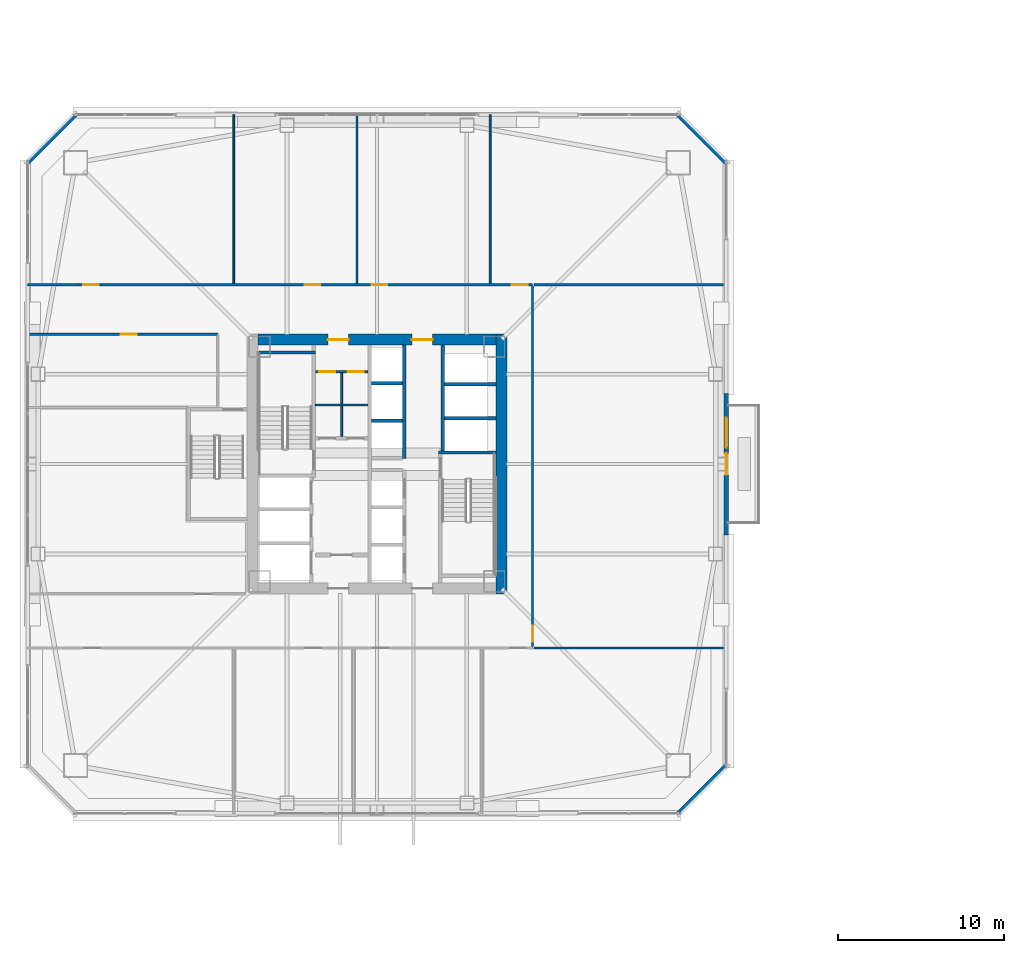
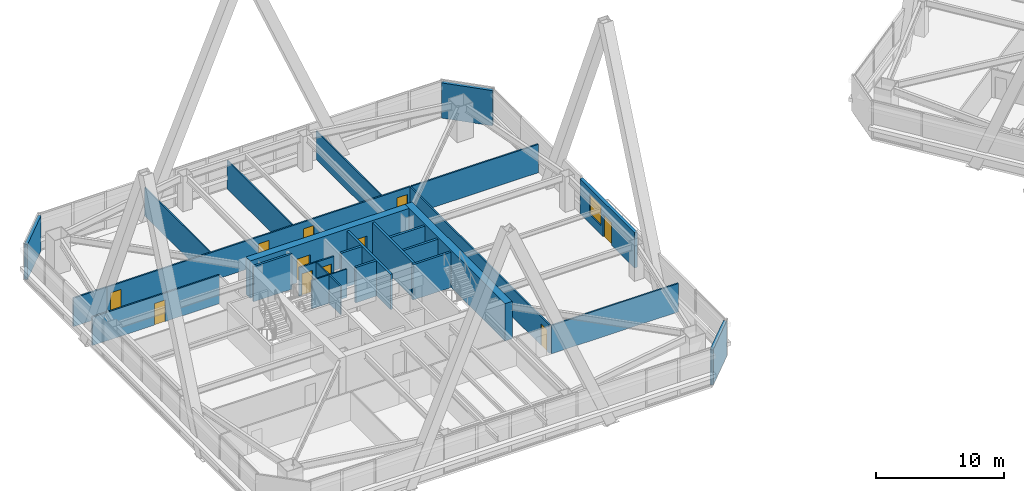
# One storey, part 44 of 54: 26 walls, 11 doors, 1 window, 12 openings.
"""IFC4 building model written with IfcOpenShell, lengths in metres."""

from ifc_helpers import new_model, si_unit, direction, frame, frame_2d, origin, place, context, subcontext, project, spatial, rectangle, extrude, material, layer, layer_set, type_object, element, fill, save


model = new_model("IFC4")

# Units and contexts
model_context = context("Model", 3, precision=1e-05, world=origin(), true_north=direction((0.0, 1.0)))
body_context = subcontext(model_context, "Body", "Model", "MODEL_VIEW")
ifc_project = project(units=[si_unit("LENGTHUNIT", "METRE"), si_unit("AREAUNIT", "SQUARE_METRE"), si_unit("VOLUMEUNIT", "CUBIC_METRE"), si_unit("PLANEANGLEUNIT", "RADIAN"), si_unit("MASSUNIT", "GRAM", prefix="KILO")], contexts=[model_context])

# Site, building, storey
site_placement = place(None, origin())
site = spatial("IfcSite", under=ifc_project, at=site_placement, CompositionType="ELEMENT")
building_placement = place(site_placement, origin())
building = spatial("IfcBuilding", under=site, at=building_placement, Name="Tashvorn Skyway Center", CompositionType="ELEMENT")
storey_placement = place(building_placement, frame((0.0, 0.0, 88.5)))
storey = spatial("IfcBuildingStorey", under=building, at=storey_placement, Name="L23", CompositionType="ELEMENT", Elevation=88.5)

# Wall
ifc_material_1 = material(Name="Concrete C60/75", Category="concrete")
ifc_layer_1 = layer(ifc_material_1, 0.64990234375)
ifc_layer_set_1 = layer_set([ifc_layer_1], Name="Concrete C60/75")
wall_type_1 = type_object("IfcWallType", Name="WALL-CORE-650", PredefinedType="SHEAR", material=ifc_layer_set_1)
wall_1_placement = place(storey_placement, frame((49.47509765625, 39.800048828125, 0.0), z_axis=(0.0, 0.0, 1.0), x_axis=(0.0, -1.0, 0.0)))
element("IfcWall", 1, at=wall_1_placement, inside=storey, type_object=wall_type_1, Name="Tower 1 L23 East Core Shear Wall", PredefinedType="SHEAR", context=body_context, shape_type="SweptSolid", body=[
    extrude(rectangle(XDim=15.60009765625, YDim=0.64990234375, at=frame_2d((7.800048828125, 0.0))), origin(), (0.0, 0.0, 1.0), 3.550048828125),
])

# Wall, openings, doors
wall_2_placement = place(storey_placement, frame((34.85009765625, 39.47509765625, 0.0), z_axis=(0.0, 0.0, 1.0), x_axis=(1.0, 0.0, 0.0)))
wall_2 = element("IfcWall", 2, at=wall_2_placement, inside=storey, type_object=wall_type_1, Name="Tower 1 L23 North Core Shear Wall", PredefinedType="SHEAR", context=body_context, shape_type="SweptSolid", body=[
    extrude(rectangle(XDim=14.2998046875, YDim=0.64990234375, at=frame_2d((7.14990234375, 0.0))), origin(), (0.0, 0.0, 1.0), 3.550048828125),
])
opening_1_placement = place(wall_2_placement, frame((4.199951171875, 0.0, 0.0)))
opening_1 = element("IfcOpeningElement", 3, at=opening_1_placement, cuts=wall_2, Name="Opening D-FFL-1250", PredefinedType="OPENING", context=body_context, shape_type="SweptSolid", body=[
    extrude(rectangle(XDim=1.25, YDim=2.25, at=frame_2d((0.625, 1.125))), frame((0.0, 0.3349609375, 0.0), z_axis=(0.0, -1.0, 0.0), x_axis=(1.0, 0.0, 0.0)), (0.0, 0.0, 1.0), 0.669921875),
])
opening_2_placement = place(wall_2_placement, frame((9.25, 0.0, 0.0)))
opening_2 = element("IfcOpeningElement", 4, at=opening_2_placement, cuts=wall_2, Name="Opening D-FFL-1250", PredefinedType="OPENING", context=body_context, shape_type="SweptSolid", body=[
    extrude(rectangle(XDim=1.25, YDim=2.25, at=frame_2d((0.625, 1.125))), frame((0.0, 0.3349609375, 0.0), z_axis=(0.0, -1.0, 0.0), x_axis=(1.0, 0.0, 0.0)), (0.0, 0.0, 1.0), 0.669921875),
])
ifc_material_2 = material(Name="Hollow galvanized steel fire door assembly", Category="steel")
door_type_1 = type_object("IfcDoorType", Name="DOOR-FFL-1250", OperationType="NOTDEFINED", PredefinedType="DOOR", material=ifc_material_2)
door_1_placement = place(opening_1_placement, origin())
door_1 = element("IfcDoor", 5, at=door_1_placement, inside=storey, type_object=door_type_1, Name="Tower 1 L23 Core North Service Lobby Door", OperationType="SINGLE_SWING_LEFT", OverallHeight=2.25, OverallWidth=1.25, PredefinedType="DOOR", context=body_context, shape_type="SweptSolid", body=[
    extrude(rectangle(XDim=1.25, YDim=2.25, at=frame_2d((0.625, 1.125))), frame((0.0, 0.02490234375, 0.0), z_axis=(0.0, -1.0, 0.0), x_axis=(1.0, 0.0, 0.0)), (0.0, 0.0, 1.0), 0.050048828125),
])
fill(opening_1, door_1)
door_2_placement = place(opening_2_placement, origin())
door_2 = element("IfcDoor", 6, at=door_2_placement, inside=storey, type_object=door_type_1, Name="Tower 1 L23 Core North Lift Lobby Door", OperationType="SINGLE_SWING_RIGHT", OverallHeight=2.25, OverallWidth=1.25, PredefinedType="DOOR", context=body_context, shape_type="SweptSolid", body=[
    extrude(rectangle(XDim=1.25, YDim=2.25, at=frame_2d((0.625, 1.125))), frame((0.0, 0.02490234375, 0.0), z_axis=(0.0, -1.0, 0.0), x_axis=(1.0, 0.0, 0.0)), (0.0, 0.0, 1.0), 0.050048828125),
])
fill(opening_2, door_2)

# Wall, openings, door, window
ifc_material_3 = material(Name="Precast concrete C40/50", Category="concrete")
ifc_layer_2 = layer(ifc_material_3, 0.280029296875)
ifc_layer_set_2 = layer_set([ifc_layer_2], Name="Precast concrete C40/50")
wall_type_2 = type_object("IfcWallType", Name="WALL-EXT-280", PredefinedType="SOLIDWALL", material=ifc_layer_set_2)
wall_3_placement = place(storey_placement, frame((62.97998046875, 36.25, 0.0), z_axis=(0.0, 0.0, 1.0), x_axis=(0.0, -1.0, 0.0)))
wall_3 = element("IfcWall", 7, at=wall_3_placement, inside=storey, type_object=wall_type_2, Name="Tower 1 L23 East Terrace Portal Wall", PredefinedType="SOLIDWALL", context=body_context, shape_type="SweptSolid", body=[
    extrude(rectangle(XDim=8.5, YDim=0.280029296875, at=frame_2d((4.25, 0.0))), origin(), (0.0, 0.0, 1.0), 3.35009765625),
])
opening_3_placement = place(wall_3_placement, frame((3.60009765625, 0.0, 0.0)))
opening_3 = element("IfcOpeningElement", 8, at=opening_3_placement, cuts=wall_3, Name="Opening D-TER-1300", PredefinedType="OPENING", context=body_context, shape_type="SweptSolid", body=[
    extrude(rectangle(XDim=1.300048828125, YDim=2.14990234375, at=frame_2d((0.64990234375, 1.074951171875))), frame((0.0, 0.14990234375, 0.0), z_axis=(0.0, -1.0, 0.0), x_axis=(1.0, 0.0, 0.0)), (0.0, 0.0, 1.0), 0.300048828125),
])
opening_4_placement = place(wall_3_placement, frame((1.4599609375, 0.0, 0.85009765625)))
opening_4 = element("IfcOpeningElement", 9, at=opening_4_placement, cuts=wall_3, Name="Opening WIN-1800", PredefinedType="OPENING", context=body_context, shape_type="SweptSolid", body=[
    extrude(rectangle(XDim=1.800048828125, YDim=1.919921875, at=frame_2d((0.89990234375, 0.9599609375))), frame((0.0, 0.14990234375, 0.0), z_axis=(0.0, -1.0, 0.0), x_axis=(1.0, 0.0, 0.0)), (0.0, 0.0, 1.0), 0.300048828125),
])
ifc_material_4 = material(Name="Thermally broken bronze-anodized aluminium 6063-T6", Category="aluminium")
door_type_2 = type_object("IfcDoorType", Name="DOOR-TERR-1300", OperationType="NOTDEFINED", PredefinedType="DOOR", material=ifc_material_4)
door_3_placement = place(opening_3_placement, origin())
door_3 = element("IfcDoor", 10, at=door_3_placement, inside=storey, type_object=door_type_2, Name="Tower 1 L23 Terrace Access Door", OperationType="SINGLE_SWING_LEFT", OverallHeight=2.14990234375, OverallWidth=1.300048828125, PredefinedType="DOOR", context=body_context, shape_type="SweptSolid", body=[
    extrude(rectangle(XDim=1.300048828125, YDim=2.14990234375, at=frame_2d((0.64990234375, 1.074951171875))), frame((0.0, 0.02490234375, 0.0), z_axis=(0.0, -1.0, 0.0), x_axis=(1.0, 0.0, 0.0)), (0.0, 0.0, 1.0), 0.050048828125),
])
fill(opening_3, door_3)
ifc_material_5 = material(Name="Low-E solar-control double insulating safety glass", Category="glass")
window_type = type_object("IfcWindowType", Name="WIN-TERR-1800", PartitioningType="SINGLE_PANEL", PredefinedType="WINDOW", material=ifc_material_5)
window_placement = place(opening_4_placement, origin())
window = element("IfcWindow", 11, at=window_placement, inside=storey, type_object=window_type, Name="Tower 1 L23 Terrace Window", OverallHeight=1.919921875, OverallWidth=1.800048828125, PartitioningType="SINGLE_PANEL", PredefinedType="WINDOW", context=body_context, shape_type="SweptSolid", body=[
    extrude(rectangle(XDim=1.800048828125, YDim=1.919921875, at=frame_2d((0.89990234375, 0.9599609375))), frame((0.0, 0.030029296875, 0.0), z_axis=(0.0, -1.0, 0.0), x_axis=(1.0, 0.0, 0.0)), (0.0, 0.0, 1.0), 0.06005859375),
])
fill(opening_4, window)

# Walls
for number, where, z_axis, x_axis, name in (
    (12, (21.0, 50.10009765625, 0.0), (0.0, 0.0, 1.0), (0.707106781187, 0.707106781187, 0.0), "Tower 1 L23 NW Precast Chamfer Wall"),
    (13, (60.10009765625, 53.0, 0.0), (0.0, 0.0, 1.0), (0.707106781187, -0.707106781187, 0.0), "Tower 1 L23 NE Precast Chamfer Wall"),
    (14, (63.0, 13.89990234375, 0.0), (0.0, 0.0, 1.0), (-0.707106781187, -0.707106781187, 0.0), "Tower 1 L23 SE Precast Chamfer Wall"),
):
    element("IfcWall", number, at=place(storey_placement, frame(where, z_axis=z_axis, x_axis=x_axis)), inside=storey, type_object=wall_type_2, Name=name, PredefinedType="SOLIDWALL", context=body_context, shape_type="SweptSolid", body=[
        extrude(rectangle(XDim=4.10107421875, YDim=0.280029296875, at=frame_2d((2.050537109375, 0.0))), origin(), (0.0, 0.0, 1.0), 3.35009765625),
    ])
ifc_material_6 = material(Name="Gypsum board on cold-formed steel stud framing", Category="steel")
ifc_layer_3 = layer(ifc_material_6, 0.110107421875)
ifc_layer_set_3 = layer_set([ifc_layer_3], Name="Gypsum board on cold-formed steel stud framing")
wall_type_3 = type_object("IfcWallType", Name="WALL-PART-110", PredefinedType="PARTITIONING", material=ifc_layer_set_3)
for number, where, z_axis, x_axis, name in (
    (15, (33.39990234375, 42.85009765625, 0.0), (0.0, 0.0, 1.0), (0.0, 1.0, 0.0), "Tower 1 L23 North Suite Partition 1"),
    (16, (40.800048828125, 42.85009765625, 0.0), (0.0, 0.0, 1.0), (0.0, 1.0, 0.0), "Tower 1 L23 North Suite Partition 2"),
    (17, (48.800048828125, 42.85009765625, 0.0), (0.0, 0.0, 1.0), (0.0, 1.0, 0.0), "Tower 1 L23 North Suite Partition 3"),
):
    element("IfcWall", number, at=place(storey_placement, frame(where, z_axis=z_axis, x_axis=x_axis)), inside=storey, type_object=wall_type_3, Name=name, PredefinedType="PARTITIONING", context=body_context, shape_type="SweptSolid", body=[
        extrude(rectangle(XDim=10.1298828125, YDim=0.110107421875, at=frame_2d((5.06494140625, 0.0))), origin(), (0.0, 0.0, 1.0), 2.702880859375),
    ])

# Wall, openings, doors
ifc_layer_4 = layer(ifc_material_6, 0.135009765625)
ifc_layer_set_4 = layer_set([ifc_layer_4], Name="Gypsum board on cold-formed steel stud framing")
wall_type_4 = type_object("IfcWallType", Name="WALL-PART-135", PredefinedType="PARTITIONING", material=ifc_layer_set_4)
wall_4_placement = place(storey_placement, frame((24.050048828125, 42.77001953125, 0.0), z_axis=(0.0, 0.0, 1.0), x_axis=(1.0, 0.0, 0.0)))
wall_4 = element("IfcWall", 18, at=wall_4_placement, inside=storey, type_object=wall_type_4, Name="Tower 1 L23 North Suite Wall", PredefinedType="PARTITIONING", context=body_context, shape_type="SweptSolid", body=[
    extrude(rectangle(XDim=27.300048828125, YDim=0.135009765625, at=frame_2d((13.64990234375, 0.0))), origin(), (0.0, 0.0, 1.0), 2.702880859375),
])
opening_5_placement = place(wall_4_placement, frame((0.300048828125, 0.0, 0.0)))
opening_5 = element("IfcOpeningElement", 19, at=opening_5_placement, cuts=wall_4, Name="Opening D-INT-950", PredefinedType="OPENING", context=body_context, shape_type="SweptSolid", body=[
    extrude(rectangle(XDim=0.949951171875, YDim=2.050048828125, at=frame_2d((0.47509765625, 1.02490234375))), frame((0.0, 0.077392578125, 0.0), z_axis=(0.0, -1.0, 0.0), x_axis=(1.0, 0.0, 0.0)), (0.0, 0.0, 1.0), 0.155029296875),
])
opening_6_placement = place(wall_4_placement, frame((13.609619140625, 0.0, 0.0)))
opening_6 = element("IfcOpeningElement", 20, at=opening_6_placement, cuts=wall_4, Name="Opening D-INT-950", PredefinedType="OPENING", context=body_context, shape_type="SweptSolid", body=[
    extrude(rectangle(XDim=0.949951171875, YDim=2.050048828125, at=frame_2d((0.47509765625, 1.02490234375))), frame((0.0, 0.077392578125, 0.0), z_axis=(0.0, -1.0, 0.0), x_axis=(1.0, 0.0, 0.0)), (0.0, 0.0, 1.0), 0.155029296875),
])
opening_7_placement = place(wall_4_placement, frame((17.63330078125, 0.0, 0.0)))
opening_7 = element("IfcOpeningElement", 21, at=opening_7_placement, cuts=wall_4, Name="Opening D-INT-950", PredefinedType="OPENING", context=body_context, shape_type="SweptSolid", body=[
    extrude(rectangle(XDim=0.949951171875, YDim=2.050048828125, at=frame_2d((0.47509765625, 1.02490234375))), frame((0.0, 0.077392578125, 0.0), z_axis=(0.0, -1.0, 0.0), x_axis=(1.0, 0.0, 0.0)), (0.0, 0.0, 1.0), 0.155029296875),
])
opening_8_placement = place(wall_4_placement, frame((26.050048828125, 0.0, 0.0)))
opening_8 = element("IfcOpeningElement", 22, at=opening_8_placement, cuts=wall_4, Name="Opening D-INT-950", PredefinedType="OPENING", context=body_context, shape_type="SweptSolid", body=[
    extrude(rectangle(XDim=0.949951171875, YDim=2.050048828125, at=frame_2d((0.47509765625, 1.02490234375))), frame((0.0, 0.077392578125, 0.0), z_axis=(0.0, -1.0, 0.0), x_axis=(1.0, 0.0, 0.0)), (0.0, 0.0, 1.0), 0.155029296875),
])
ifc_material_7 = material(Name="Solid-core architectural oak veneer door")
door_type_3 = type_object("IfcDoorType", Name="DOOR-INT-950", OperationType="NOTDEFINED", PredefinedType="DOOR", material=ifc_material_7)
door_4_placement = place(opening_5_placement, origin())
door_4 = element("IfcDoor", 23, at=door_4_placement, inside=storey, type_object=door_type_3, Name="Tower 1 L23 Conference Room Door", OperationType="SINGLE_SWING_RIGHT", OverallHeight=2.050048828125, OverallWidth=0.949951171875, PredefinedType="DOOR", context=body_context, shape_type="SweptSolid", body=[
    extrude(rectangle(XDim=0.949951171875, YDim=2.050048828125, at=frame_2d((0.47509765625, 1.02490234375))), frame((0.0, 0.02490234375, 0.0), z_axis=(0.0, -1.0, 0.0), x_axis=(1.0, 0.0, 0.0)), (0.0, 0.0, 1.0), 0.050048828125),
])
fill(opening_5, door_4)
door_5_placement = place(opening_6_placement, origin())
door_5 = element("IfcDoor", 24, at=door_5_placement, inside=storey, type_object=door_type_3, Name="Tower 1 L23 Conference Room Door", OperationType="SINGLE_SWING_LEFT", OverallHeight=2.050048828125, OverallWidth=0.949951171875, PredefinedType="DOOR", context=body_context, shape_type="SweptSolid", body=[
    extrude(rectangle(XDim=0.949951171875, YDim=2.050048828125, at=frame_2d((0.47509765625, 1.02490234375))), frame((0.0, 0.02490234375, 0.0), z_axis=(0.0, -1.0, 0.0), x_axis=(1.0, 0.0, 0.0)), (0.0, 0.0, 1.0), 0.050048828125),
])
fill(opening_6, door_5)
door_6_placement = place(opening_7_placement, origin())
door_6 = element("IfcDoor", 25, at=door_6_placement, inside=storey, type_object=door_type_3, Name="Tower 1 L23 Staff Fitness Club Door", OperationType="SINGLE_SWING_RIGHT", OverallHeight=2.050048828125, OverallWidth=0.949951171875, PredefinedType="DOOR", context=body_context, shape_type="SweptSolid", body=[
    extrude(rectangle(XDim=0.949951171875, YDim=2.050048828125, at=frame_2d((0.47509765625, 1.02490234375))), frame((0.0, 0.02490234375, 0.0), z_axis=(0.0, -1.0, 0.0), x_axis=(1.0, 0.0, 0.0)), (0.0, 0.0, 1.0), 0.050048828125),
])
fill(opening_7, door_6)
door_7_placement = place(opening_8_placement, origin())
door_7 = element("IfcDoor", 26, at=door_7_placement, inside=storey, type_object=door_type_3, Name="Tower 1 L23 Gallery Showroom Door", OperationType="SINGLE_SWING_LEFT", OverallHeight=2.050048828125, OverallWidth=0.949951171875, PredefinedType="DOOR", context=body_context, shape_type="SweptSolid", body=[
    extrude(rectangle(XDim=0.949951171875, YDim=2.050048828125, at=frame_2d((0.47509765625, 1.02490234375))), frame((0.0, 0.02490234375, 0.0), z_axis=(0.0, -1.0, 0.0), x_axis=(1.0, 0.0, 0.0)), (0.0, 0.0, 1.0), 0.050048828125),
])
fill(opening_8, door_7)

# Wall
wall_5_placement = place(storey_placement, frame((21.02001953125, 42.77001953125, 0.0), z_axis=(0.0, 0.0, 1.0), x_axis=(1.0, 0.0, 0.0)))
element("IfcWall", 27, at=wall_5_placement, inside=storey, type_object=wall_type_4, Name="Tower 1 L23 North-West Suite South Wall", PredefinedType="PARTITIONING", context=body_context, shape_type="SweptSolid", body=[
    extrude(rectangle(XDim=3.030029296875, YDim=0.135009765625, at=frame_2d((1.51513671875, 0.0))), origin(), (0.0, 0.0, 1.0), 2.702880859375),
])

# Wall, opening, door
wall_6_placement = place(storey_placement, frame((51.35009765625, 42.68994140625, 0.0), z_axis=(0.0, 0.0, 1.0), x_axis=(0.0, -1.0, 0.0)))
wall_6 = element("IfcWall", 28, at=wall_6_placement, inside=storey, type_object=wall_type_4, Name="Tower 1 L23 East Inner Suite Wall", PredefinedType="PARTITIONING", context=body_context, shape_type="SweptSolid", body=[
    extrude(rectangle(XDim=21.659912109375, YDim=0.135009765625, at=frame_2d((10.830078125, 0.0))), origin(), (0.0, 0.0, 1.0), 2.702880859375),
])
opening_9_placement = place(wall_6_placement, frame((20.409912109375, 0.0, 0.0)))
opening_9 = element("IfcOpeningElement", 29, at=opening_9_placement, cuts=wall_6, Name="Opening D-INT-950", PredefinedType="OPENING", context=body_context, shape_type="SweptSolid", body=[
    extrude(rectangle(XDim=0.949951171875, YDim=2.050048828125, at=frame_2d((0.47509765625, 1.02490234375))), frame((0.0, 0.077392578125, 0.0), z_axis=(0.0, -1.0, 0.0), x_axis=(1.0, 0.0, 0.0)), (0.0, 0.0, 1.0), 0.155029296875),
])
door_8_placement = place(opening_9_placement, origin())
door_8 = element("IfcDoor", 30, at=door_8_placement, inside=storey, type_object=door_type_3, Name="Tower 1 L23 Gallery Showroom Door", OperationType="SINGLE_SWING_RIGHT", OverallHeight=2.050048828125, OverallWidth=0.949951171875, PredefinedType="DOOR", context=body_context, shape_type="SweptSolid", body=[
    extrude(rectangle(XDim=0.949951171875, YDim=2.050048828125, at=frame_2d((0.47509765625, 1.02490234375))), frame((0.0, 0.02490234375, 0.0), z_axis=(0.0, -1.0, 0.0), x_axis=(1.0, 0.0, 0.0)), (0.0, 0.0, 1.0), 0.050048828125),
])
fill(opening_9, door_8)

# Walls
for number, where, z_axis, x_axis, name in (
    (31, (62.830078125, 42.77001953125, 0.0), (0.0, 0.0, 1.0), (-1.0, 0.0, 0.0), "Tower 1 L23 East Suite North Wall"),
    (32, (51.429931640625, 20.949951171875, 0.0), (0.0, 0.0, 1.0), (1.0, 0.0, 0.0), "Tower 1 L23 East Suite South Wall"),
):
    element("IfcWall", number, at=place(storey_placement, frame(where, z_axis=z_axis, x_axis=x_axis)), inside=storey, type_object=wall_type_4, Name=name, PredefinedType="PARTITIONING", context=body_context, shape_type="SweptSolid", body=[
        extrude(rectangle(XDim=11.400146484375, YDim=0.135009765625, at=frame_2d((5.7001953125, 0.0))), origin(), (0.0, 0.0, 1.0), 2.702880859375),
    ])

# Wall, opening, door
wall_7_placement = place(storey_placement, frame((32.449951171875, 39.800048828125, 0.0), z_axis=(0.0, 0.0, 1.0), x_axis=(-1.0, 0.0, 0.0)))
wall_7 = element("IfcWall", 33, at=wall_7_placement, inside=storey, type_object=wall_type_4, Name="Tower 1 L23 West Suite North Wall", PredefinedType="PARTITIONING", context=body_context, shape_type="SweptSolid", body=[
    extrude(rectangle(XDim=11.429931640625, YDim=0.135009765625, at=frame_2d((5.71484375, 0.0))), origin(), (0.0, 0.0, 1.0), 2.702880859375),
])
opening_10_placement = place(wall_7_placement, frame((4.889892578125, 0.0, 0.0)))
opening_10 = element("IfcOpeningElement", 34, at=opening_10_placement, cuts=wall_7, Name="Opening D-INT-950", PredefinedType="OPENING", context=body_context, shape_type="SweptSolid", body=[
    extrude(rectangle(XDim=0.949951171875, YDim=2.050048828125, at=frame_2d((0.47509765625, 1.02490234375))), frame((0.0, 0.077392578125, 0.0), z_axis=(0.0, -1.0, 0.0), x_axis=(1.0, 0.0, 0.0)), (0.0, 0.0, 1.0), 0.155029296875),
])
door_9_placement = place(opening_10_placement, origin())
door_9 = element("IfcDoor", 35, at=door_9_placement, inside=storey, type_object=door_type_3, Name="Tower 1 L23 Catering Pantry Door", OperationType="SINGLE_SWING_LEFT", OverallHeight=2.050048828125, OverallWidth=0.949951171875, PredefinedType="DOOR", context=body_context, shape_type="SweptSolid", body=[
    extrude(rectangle(XDim=0.949951171875, YDim=2.050048828125, at=frame_2d((0.47509765625, 1.02490234375))), frame((0.0, 0.02490234375, 0.0), z_axis=(0.0, -1.0, 0.0), x_axis=(1.0, 0.0, 0.0)), (0.0, 0.0, 1.0), 0.050048828125),
])
fill(opening_10, door_9)

# Walls
ifc_layer_5 = layer(ifc_material_6, 0.110107421875)
ifc_layer_set_5 = layer_set([ifc_layer_5], Name="Gypsum board on cold-formed steel stud framing")
wall_type_5 = type_object("IfcWallType", Name="WALL-RATED-110", PredefinedType="PARTITIONING", material=ifc_layer_set_5)
wall_8_placement = place(storey_placement, frame((39.8798828125, 33.679931640625, 0.0), z_axis=(0.0, 0.0, 1.0), x_axis=(0.0, 1.0, 0.0)))
element("IfcWall", 36, at=wall_8_placement, inside=storey, type_object=wall_type_5, Name="Tower 1 L23 Core Cross Vertical", PredefinedType="PARTITIONING", context=body_context, shape_type="SweptSolid", body=[
    extrude(rectangle(XDim=3.800048828125, YDim=0.110107421875, at=frame_2d((1.89990234375, 0.0))), origin(), (0.0, 0.0, 1.0), 2.702880859375),
])
wall_9_placement = place(storey_placement, frame((38.300048828125, 35.550048828125, 0.0), z_axis=(0.0, 0.0, 1.0), x_axis=(1.0, 0.0, 0.0)))
element("IfcWall", 37, at=wall_9_placement, inside=storey, type_object=wall_type_5, Name="Tower 1 L23 Core Cross Horizontal", PredefinedType="PARTITIONING", context=body_context, shape_type="SweptSolid", body=[
    extrude(rectangle(XDim=3.14990234375, YDim=0.110107421875, at=frame_2d((1.574951171875, 0.0))), origin(), (0.0, 0.0, 1.0), 2.702880859375),
])

# Wall, openings, doors
ifc_layer_6 = layer(ifc_material_6, 0.135009765625)
ifc_layer_set_6 = layer_set([ifc_layer_6], Name="Gypsum board on cold-formed steel stud framing")
wall_type_6 = type_object("IfcWallType", Name="WALL-RATED-135", PredefinedType="PARTITIONING", material=ifc_layer_set_6)
wall_10_placement = place(storey_placement, frame((38.300048828125, 37.550048828125, 0.0), z_axis=(0.0, 0.0, 1.0), x_axis=(1.0, 0.0, 0.0)))
wall_10 = element("IfcWall", 38, at=wall_10_placement, inside=storey, type_object=wall_type_6, Name="Tower 1 L23 Core Service Lobby Wall", PredefinedType="PARTITIONING", context=body_context, shape_type="SweptSolid", body=[
    extrude(rectangle(XDim=3.14990234375, YDim=0.135009765625, at=frame_2d((1.574951171875, 0.0))), origin(), (0.0, 0.0, 1.0), 2.702880859375),
])
opening_11_placement = place(wall_10_placement, frame((0.25, 0.0, 0.0)))
opening_11 = element("IfcOpeningElement", 39, at=opening_11_placement, cuts=wall_10, Name="Opening D-RT-950", PredefinedType="OPENING", context=body_context, shape_type="SweptSolid", body=[
    extrude(rectangle(XDim=0.949951171875, YDim=2.050048828125, at=frame_2d((0.47509765625, 1.02490234375))), frame((0.0, 0.077392578125, 0.0), z_axis=(0.0, -1.0, 0.0), x_axis=(1.0, 0.0, 0.0)), (0.0, 0.0, 1.0), 0.155029296875),
])
opening_12_placement = place(wall_10_placement, frame((1.949951171875, 0.0, 0.0)))
opening_12 = element("IfcOpeningElement", 40, at=opening_12_placement, cuts=wall_10, Name="Opening D-RT-950", PredefinedType="OPENING", context=body_context, shape_type="SweptSolid", body=[
    extrude(rectangle(XDim=0.949951171875, YDim=2.050048828125, at=frame_2d((0.47509765625, 1.02490234375))), frame((0.0, 0.077392578125, 0.0), z_axis=(0.0, -1.0, 0.0), x_axis=(1.0, 0.0, 0.0)), (0.0, 0.0, 1.0), 0.155029296875),
])
door_type_4 = type_object("IfcDoorType", Name="DOOR-RATED-950", OperationType="NOTDEFINED", PredefinedType="DOOR", material=ifc_material_2)
door_10_placement = place(opening_11_placement, origin())
door_10 = element("IfcDoor", 41, at=door_10_placement, inside=storey, type_object=door_type_4, Name="Tower 1 L23 Core Cleaner Store Door", OperationType="SINGLE_SWING_LEFT", OverallHeight=2.050048828125, OverallWidth=0.949951171875, PredefinedType="DOOR", context=body_context, shape_type="SweptSolid", body=[
    extrude(rectangle(XDim=0.949951171875, YDim=2.050048828125, at=frame_2d((0.47509765625, 1.02490234375))), frame((0.0, 0.02490234375, 0.0), z_axis=(0.0, -1.0, 0.0), x_axis=(1.0, 0.0, 0.0)), (0.0, 0.0, 1.0), 0.050048828125),
])
fill(opening_11, door_10)
door_11_placement = place(opening_12_placement, origin())
door_11 = element("IfcDoor", 42, at=door_11_placement, inside=storey, type_object=door_type_4, Name="Tower 1 L23 Core Accessible WC Door", OperationType="SINGLE_SWING_RIGHT", OverallHeight=2.050048828125, OverallWidth=0.949951171875, PredefinedType="DOOR", context=body_context, shape_type="SweptSolid", body=[
    extrude(rectangle(XDim=0.949951171875, YDim=2.050048828125, at=frame_2d((0.47509765625, 1.02490234375))), frame((0.0, 0.02490234375, 0.0), z_axis=(0.0, -1.0, 0.0), x_axis=(1.0, 0.0, 0.0)), (0.0, 0.0, 1.0), 0.050048828125),
])
fill(opening_12, door_11)

# Walls
ifc_material_8 = material(Name="Concrete C40/50", Category="concrete")
ifc_layer_7 = layer(ifc_material_8, 0.199951171875)
ifc_layer_set_7 = layer_set([ifc_layer_7], Name="Concrete C40/50")
wall_type_7 = type_object("IfcWallType", Name="WALL-SHAFT-200", PredefinedType="SOLIDWALL", material=ifc_layer_set_7)
for number, where, z_axis, x_axis, name in (
    (43, (46.050048828125, 34.75, 0.0), (0.0, 0.0, 1.0), (1.0, 0.0, 0.0), "Tower 1 L23 High-Rise Shaft Divider"),
    (44, (46.050048828125, 36.800048828125, 0.0), (0.0, 0.0, 1.0), (1.0, 0.0, 0.0), "Tower 1 L23 High-Rise Shaft Divider"),
):
    element("IfcWall", number, at=place(storey_placement, frame(where, z_axis=z_axis, x_axis=x_axis)), inside=storey, type_object=wall_type_7, Name=name, PredefinedType="SOLIDWALL", context=body_context, shape_type="SweptSolid", body=[
        extrude(rectangle(XDim=3.099853515625, YDim=0.199951171875, at=frame_2d((1.5498046875, 0.0))), origin(), (0.0, 0.0, 1.0), 3.35009765625),
    ])
wall_11_placement = place(storey_placement, frame((43.64990234375, 32.35009765625, 0.0), z_axis=(0.0, 0.0, 1.0), x_axis=(0.0, 1.0, 0.0)))
element("IfcWall", 45, at=wall_11_placement, inside=storey, type_object=wall_type_7, Name="Tower 1 L23 Mid-Rise Core Wall", PredefinedType="SOLIDWALL", context=body_context, shape_type="SweptSolid", body=[
    extrude(rectangle(XDim=6.7998046875, YDim=0.199951171875, at=frame_2d((3.39990234375, 0.0))), origin(), (0.0, 0.0, 1.0), 3.35009765625),
])
for number, where, z_axis, x_axis, name in (
    (46, (41.669921875, 34.60009765625, 0.0), (0.0, 0.0, 1.0), (1.0, 0.0, 0.0), "Tower 1 L23 Mid-Rise Shaft Divider"),
    (47, (41.669921875, 36.85009765625, 0.0), (0.0, 0.0, 1.0), (1.0, 0.0, 0.0), "Tower 1 L23 Mid-Rise Shaft Divider"),
):
    element("IfcWall", number, at=place(storey_placement, frame(where, z_axis=z_axis, x_axis=x_axis)), inside=storey, type_object=wall_type_7, Name=name, PredefinedType="SOLIDWALL", context=body_context, shape_type="SweptSolid", body=[
        extrude(rectangle(XDim=1.880126953125, YDim=0.199951171875, at=frame_2d((0.93994140625, 0.0))), origin(), (0.0, 0.0, 1.0), 3.35009765625),
    ])
ifc_layer_8 = layer(ifc_material_8, 0.199951171875)
ifc_layer_set_8 = layer_set([ifc_layer_8], Name="Concrete C40/50")
wall_type_8 = type_object("IfcWallType", Name="WALL-STSHF-200", PredefinedType="SHEAR", material=ifc_layer_set_8)
for number, where, z_axis, x_axis, name in (
    (48, (34.85009765625, 38.699951171875, 0.0), (0.0, 0.0, 1.0), (1.0, 0.0, 0.0), "Tower 1 L23 Stair 1 North Wall"),
    (49, (45.699951171875, 32.699951171875, 0.0), (0.0, 0.0, 1.0), (1.0, 0.0, 0.0), "Tower 1 L23 Stair 2 North Wall"),
):
    element("IfcWall", number, at=place(storey_placement, frame(where, z_axis=z_axis, x_axis=x_axis)), inside=storey, type_object=wall_type_8, Name=name, PredefinedType="SHEAR", context=body_context, shape_type="SweptSolid", body=[
        extrude(rectangle(XDim=3.449951171875, YDim=0.199951171875, at=frame_2d((1.72509765625, 0.0))), origin(), (0.0, 0.0, 1.0), 3.35009765625),
    ])
wall_12_placement = place(storey_placement, frame((45.949951171875, 39.14990234375, 0.0), z_axis=(0.0, 0.0, 1.0), x_axis=(0.0, -1.0, 0.0)))
element("IfcWall", 50, at=wall_12_placement, inside=storey, type_object=wall_type_8, Name="Tower 1 L23 High-Rise Lift Shaft Front Wall", PredefinedType="SHEAR", context=body_context, shape_type="SweptSolid", body=[
    extrude(rectangle(XDim=6.349853515625, YDim=0.199951171875, at=frame_2d((3.1748046875, 0.0))), origin(), (0.0, 0.0, 1.0), 3.35009765625),
])

save(model, "model.ifc")
